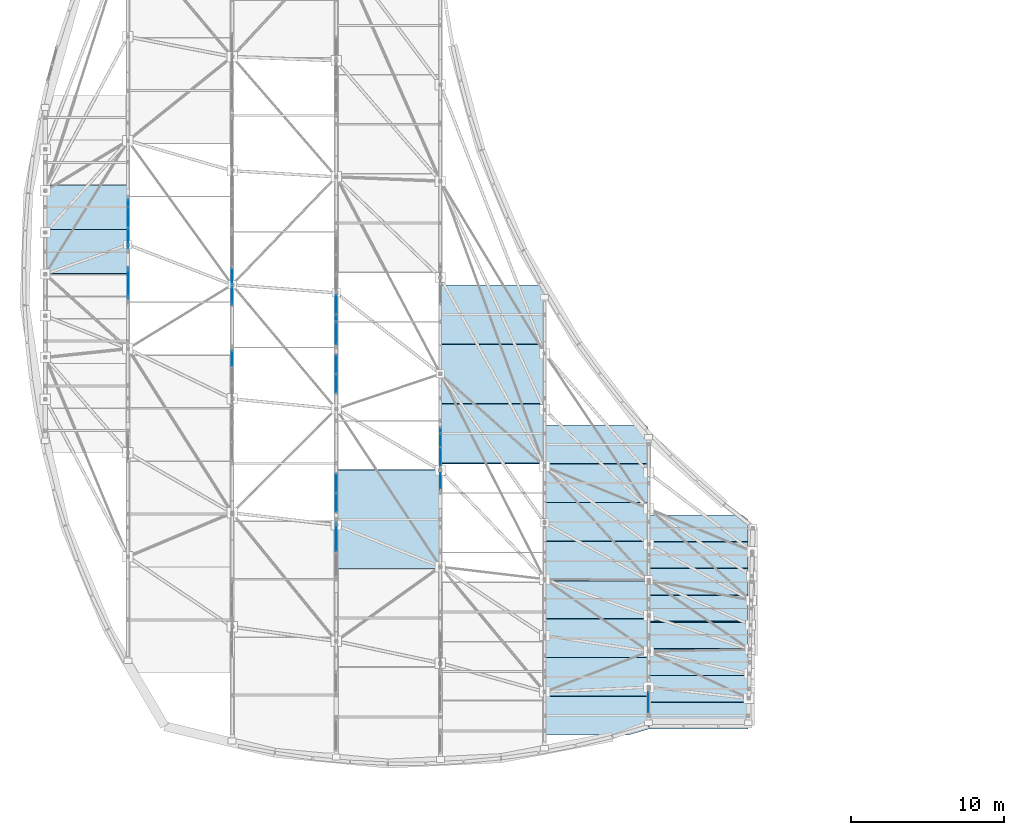
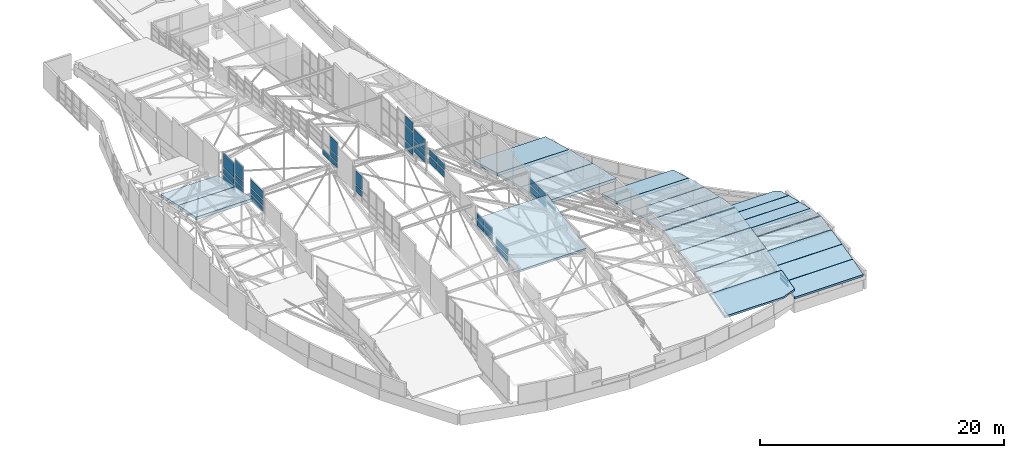
# One storey, part 156 of 188: 38 plates, 22 slabs, 13 elements without a shape of their own.
"""IFC4 building model written with IfcOpenShell, lengths in metres."""

from ifc_helpers import new_model, si_unit, direction, frame, origin, origin_2d, place, context, subcontext, project, spatial, polyline, rectangle, outline, extrude, material, layer, layer_set, type_object, element, aggregate, save


model = new_model("IFC4")

# Units and contexts
model_context = context("Model", 3, precision=1e-05, world=origin(), true_north=direction((0.0, 1.0)))
body_context = subcontext(model_context, "Body", "Model", "MODEL_VIEW")
ifc_project = project(units=[si_unit("LENGTHUNIT", "METRE"), si_unit("AREAUNIT", "SQUARE_METRE"), si_unit("VOLUMEUNIT", "CUBIC_METRE"), si_unit("PLANEANGLEUNIT", "RADIAN"), si_unit("MASSUNIT", "GRAM", prefix="KILO")], contexts=[model_context])

# Site, building, storey
site_placement = place(None, origin())
site = spatial("IfcSite", under=ifc_project, at=site_placement, CompositionType="ELEMENT")
building_placement = place(site_placement, origin())
building = spatial("IfcBuilding", under=site, at=building_placement, Name="Kisaragi Civic Commons", CompositionType="ELEMENT")
storey_placement = place(building_placement, frame((0.0, 0.0, 9.60009765625)))
storey = spatial("IfcBuildingStorey", under=building, at=storey_placement, Name="L02", CompositionType="ELEMENT", Elevation=9.60009765625)

# Curtain wall, plates
ifc_material_1 = material(Name="Thermally broken anodized aluminium and low-E double glazing", Category="aluminium")
ifc_layer_1 = layer(ifc_material_1, 0.14990234375, Name="Thermally broken anodized aluminium and low-E double glazing", Category="aluminium")
ifc_layer_set_1 = layer_set([ifc_layer_1], Name="Thermally broken anodized aluminium and low-E double glazing")
curtain_wall_type = type_object("IfcCurtainWallType", Name="CW-03", PredefinedType="NOTDEFINED", material=ifc_layer_set_1)
curtain_wall_1_placement = place(storey_placement, origin())
curtain_wall_1 = element("IfcCurtainWall", 1, at=curtain_wall_1_placement, inside=storey, type_object=curtain_wall_type, Name="L02 curtain wall CW-03 CW-CL-V1-134", PredefinedType="NOTDEFINED")
ifc_layer_2 = layer(ifc_material_1, 0.0380859375, Name="Thermally broken anodized aluminium and low-E double glazing", Category="aluminium")
ifc_layer_set_2 = layer_set([ifc_layer_2], Name="Thermally broken anodized aluminium and low-E double glazing")
plate_type_1 = type_object("IfcPlateType", Name="CWP-03", PredefinedType="CURTAIN_PANEL", material=ifc_layer_set_2)
plate_1_placement = place(storey_placement, frame((6.800048828125, 32.70361328125, 3.71142578125), z_axis=(0.0, 0.0, 1.0), x_axis=(0.0, 1.0, 0.0)))
plate_1 = element("IfcPlate", 2, at=plate_1_placement, type_object=plate_type_1, Name="CW-03 panel 1.1", PredefinedType="CURTAIN_PANEL", context=body_context, shape_type="SweptSolid", body=[
    extrude(rectangle(XDim=2.02392578125, YDim=0.0380859375, at=origin_2d()), origin(), (0.0, 0.0, 1.0), 0.469970703125),
])
plate_2_placement = place(storey_placement, frame((6.800048828125, 32.70361328125, 4.30126953125), z_axis=(0.0, 0.0, 1.0), x_axis=(0.0, 1.0, 0.0)))
plate_2 = element("IfcPlate", 3, at=plate_2_placement, type_object=plate_type_1, Name="CW-03 panel 1.2", PredefinedType="CURTAIN_PANEL", context=body_context, shape_type="SweptSolid", body=[
    extrude(rectangle(XDim=2.02392578125, YDim=0.0380859375, at=origin_2d()), origin(), (0.0, 0.0, 1.0), 0.530029296875),
])
plate_3_placement = place(storey_placement, frame((6.800048828125, 32.70361328125, 4.951416015625), z_axis=(0.0, 0.0, 1.0), x_axis=(0.0, 1.0, 0.0)))
plate_3 = element("IfcPlate", 4, at=plate_3_placement, type_object=plate_type_1, Name="CW-03 panel 1.3", PredefinedType="CURTAIN_PANEL", context=body_context, shape_type="SweptSolid", body=[
    extrude(rectangle(XDim=2.02392578125, YDim=0.0380859375, at=origin_2d()), origin(), (0.0, 0.0, 1.0), 0.77294921875),
])
aggregate(curtain_wall_1, [plate_1, plate_2, plate_3])

curtain_wall_2_placement = place(storey_placement, origin())
curtain_wall_2 = element("IfcCurtainWall", 5, at=curtain_wall_2_placement, inside=storey, type_object=curtain_wall_type, Name="L02 curtain wall CW-03 CW-CL-V1-136", PredefinedType="NOTDEFINED")
plate_4_placement = place(storey_placement, frame((6.800048828125, 37.283935546875, 2.99609375), z_axis=(0.0, 0.0, 1.0), x_axis=(0.0, 1.0, 0.0)))
plate_4 = element("IfcPlate", 6, at=plate_4_placement, type_object=plate_type_1, Name="CW-03 panel 1.1", PredefinedType="CURTAIN_PANEL", context=body_context, shape_type="SweptSolid", body=[
    extrude(rectangle(XDim=1.76123046875, YDim=0.0380859375, at=origin_2d()), origin(), (0.0, 0.0, 1.0), 0.469970703125),
])
plate_5_placement = place(storey_placement, frame((6.800048828125, 37.283935546875, 3.5859375), z_axis=(0.0, 0.0, 1.0), x_axis=(0.0, 1.0, 0.0)))
plate_5 = element("IfcPlate", 7, at=plate_5_placement, type_object=plate_type_1, Name="CW-03 panel 1.2", PredefinedType="CURTAIN_PANEL", context=body_context, shape_type="SweptSolid", body=[
    extrude(rectangle(XDim=1.76123046875, YDim=0.0380859375, at=origin_2d()), origin(), (0.0, 0.0, 1.0), 0.530029296875),
])
plate_6_placement = place(storey_placement, frame((6.800048828125, 37.283935546875, 4.236328125), z_axis=(0.0, 0.0, 1.0), x_axis=(0.0, 1.0, 0.0)))
plate_6 = element("IfcPlate", 8, at=plate_6_placement, type_object=plate_type_1, Name="CW-03 panel 1.3", PredefinedType="CURTAIN_PANEL", context=body_context, shape_type="SweptSolid", body=[
    extrude(rectangle(XDim=1.76123046875, YDim=0.0380859375, at=origin_2d()), origin(), (0.0, 0.0, 1.0), 1.437255859375),
])
aggregate(curtain_wall_2, [plate_4, plate_5, plate_6])

curtain_wall_3_placement = place(storey_placement, origin())
curtain_wall_3 = element("IfcCurtainWall", 9, at=curtain_wall_3_placement, inside=storey, type_object=curtain_wall_type, Name="L02 curtain wall CW-03 CW-CL-V1-142", PredefinedType="NOTDEFINED")
plate_7_placement = place(storey_placement, frame((13.60009765625, 31.893310546875, 5.9033203125), z_axis=(0.0, 0.0, 1.0), x_axis=(0.0, 1.0, 0.0)))
plate_7 = element("IfcPlate", 10, at=plate_7_placement, type_object=plate_type_1, Name="CW-03 panel 1.1", PredefinedType="CURTAIN_PANEL", context=body_context, shape_type="SweptSolid", body=[
    extrude(rectangle(XDim=1.170166015625, YDim=0.0380859375, at=origin_2d()), origin(), (0.0, 0.0, 1.0), 0.469970703125),
])
plate_8_placement = place(storey_placement, frame((13.60009765625, 31.893310546875, 6.4931640625), z_axis=(0.0, 0.0, 1.0), x_axis=(0.0, 1.0, 0.0)))
plate_8 = element("IfcPlate", 11, at=plate_8_placement, type_object=plate_type_1, Name="CW-03 panel 1.2", PredefinedType="CURTAIN_PANEL", context=body_context, shape_type="SweptSolid", body=[
    extrude(rectangle(XDim=1.170166015625, YDim=0.0380859375, at=origin_2d()), origin(), (0.0, 0.0, 1.0), 0.530029296875),
])
plate_9_placement = place(storey_placement, frame((13.60009765625, 31.893310546875, 7.14306640625), z_axis=(0.0, 0.0, 1.0), x_axis=(0.0, 1.0, 0.0)))
plate_9 = element("IfcPlate", 12, at=plate_9_placement, type_object=plate_type_1, Name="CW-03 panel 1.3", PredefinedType="CURTAIN_PANEL", context=body_context, shape_type="SweptSolid", body=[
    extrude(rectangle(XDim=1.170166015625, YDim=0.0380859375, at=origin_2d()), origin(), (0.0, 0.0, 1.0), 1.294189453125),
])
plate_10_placement = place(storey_placement, frame((13.60009765625, 33.12353515625, 5.9033203125), z_axis=(0.0, 0.0, 1.0), x_axis=(0.0, 1.0, 0.0)))
plate_10 = element("IfcPlate", 13, at=plate_10_placement, type_object=plate_type_1, Name="CW-03 panel 2.1", PredefinedType="CURTAIN_PANEL", context=body_context, shape_type="SweptSolid", body=[
    extrude(rectangle(XDim=1.170166015625, YDim=0.0380859375, at=origin_2d()), origin(), (0.0, 0.0, 1.0), 0.469970703125),
])
aggregate(curtain_wall_3, [plate_7, plate_8, plate_9, plate_10])

curtain_wall_4_placement = place(storey_placement, origin())
curtain_wall_4 = element("IfcCurtainWall", 14, at=curtain_wall_4_placement, inside=storey, type_object=curtain_wall_type, Name="L02 curtain wall CW-03 CW-CL-V1-156", PredefinedType="NOTDEFINED")
plate_11_placement = place(storey_placement, frame((20.39990234375, 16.14794921875, 3.96826171875), z_axis=(0.0, 0.0, 1.0), x_axis=(0.0, 1.0, 0.0)))
plate_11 = element("IfcPlate", 15, at=plate_11_placement, type_object=plate_type_1, Name="CW-03 panel 1.1", PredefinedType="CURTAIN_PANEL", context=body_context, shape_type="SweptSolid", body=[
    extrude(rectangle(XDim=1.868408203125, YDim=0.0380859375, at=origin_2d()), origin(), (0.0, 0.0, 1.0), 0.52734375),
])
plate_12_placement = place(storey_placement, frame((20.39990234375, 16.14794921875, 4.615478515625), z_axis=(0.0, 0.0, 1.0), x_axis=(0.0, 1.0, 0.0)))
plate_12 = element("IfcPlate", 16, at=plate_12_placement, type_object=plate_type_1, Name="CW-03 panel 1.2", PredefinedType="CURTAIN_PANEL", context=body_context, shape_type="SweptSolid", body=[
    extrude(rectangle(XDim=1.868408203125, YDim=0.0380859375, at=origin_2d()), origin(), (0.0, 0.0, 1.0), 0.52734375),
])
aggregate(curtain_wall_4, [plate_11, plate_12])

curtain_wall_5_placement = place(storey_placement, origin())
curtain_wall_5 = element("IfcCurtainWall", 17, at=curtain_wall_5_placement, inside=storey, type_object=curtain_wall_type, Name="L02 curtain wall CW-03 CW-CL-V1-158", PredefinedType="NOTDEFINED")
plate_13_placement = place(storey_placement, frame((20.39990234375, 26.172119140625, 6.093994140625), z_axis=(0.0, 0.0, 1.0), x_axis=(0.0, 1.0, 0.0)))
plate_13 = element("IfcPlate", 18, at=plate_13_placement, type_object=plate_type_1, Name="CW-03 panel 1.1", PredefinedType="CURTAIN_PANEL", context=body_context, shape_type="SweptSolid", body=[
    extrude(rectangle(XDim=1.193359375, YDim=0.0380859375, at=origin_2d()), origin(), (0.0, 0.0, 1.0), 0.59521484375),
])
plate_14_placement = place(storey_placement, frame((20.39990234375, 26.172119140625, 6.809326171875), z_axis=(0.0, 0.0, 1.0), x_axis=(0.0, 1.0, 0.0)))
plate_14 = element("IfcPlate", 19, at=plate_14_placement, type_object=plate_type_1, Name="CW-03 panel 1.2", PredefinedType="CURTAIN_PANEL", context=body_context, shape_type="SweptSolid", body=[
    extrude(rectangle(XDim=1.193359375, YDim=0.0380859375, at=origin_2d()), origin(), (0.0, 0.0, 1.0), 0.59521484375),
])
plate_15_placement = place(storey_placement, frame((20.39990234375, 27.42529296875, 6.093994140625), z_axis=(0.0, 0.0, 1.0), x_axis=(0.0, 1.0, 0.0)))
plate_15 = element("IfcPlate", 20, at=plate_15_placement, type_object=plate_type_1, Name="CW-03 panel 2.1", PredefinedType="CURTAIN_PANEL", context=body_context, shape_type="SweptSolid", body=[
    extrude(rectangle(XDim=1.193359375, YDim=0.0380859375, at=origin_2d()), origin(), (0.0, 0.0, 1.0), 0.59521484375),
])
plate_16_placement = place(storey_placement, frame((20.39990234375, 27.42529296875, 6.809326171875), z_axis=(0.0, 0.0, 1.0), x_axis=(0.0, 1.0, 0.0)))
plate_16 = element("IfcPlate", 21, at=plate_16_placement, type_object=plate_type_1, Name="CW-03 panel 2.2", PredefinedType="CURTAIN_PANEL", context=body_context, shape_type="SweptSolid", body=[
    extrude(rectangle(XDim=1.193359375, YDim=0.0380859375, at=origin_2d()), origin(), (0.0, 0.0, 1.0), 0.59521484375),
])
aggregate(curtain_wall_5, [plate_13, plate_14, plate_15, plate_16])

curtain_wall_6_placement = place(storey_placement, origin())
curtain_wall_6 = element("IfcCurtainWall", 22, at=curtain_wall_6_placement, inside=storey, type_object=curtain_wall_type, Name="L02 curtain wall CW-03 CW-CL-V1-160", PredefinedType="NOTDEFINED")
plate_17_placement = place(storey_placement, frame((20.39990234375, 31.35302734375, 5.15673828125), z_axis=(0.0, 0.0, 1.0), x_axis=(0.0, 1.0, 0.0)))
plate_17 = element("IfcPlate", 23, at=plate_17_placement, type_object=plate_type_1, Name="CW-03 panel 1.1", PredefinedType="CURTAIN_PANEL", context=body_context, shape_type="SweptSolid", body=[
    extrude(rectangle(XDim=1.193115234375, YDim=0.0380859375, at=origin_2d()), origin(), (0.0, 0.0, 1.0), 0.669921875),
])
plate_18_placement = place(storey_placement, frame((20.39990234375, 31.35302734375, 5.946533203125), z_axis=(0.0, 0.0, 1.0), x_axis=(0.0, 1.0, 0.0)))
plate_18 = element("IfcPlate", 24, at=plate_18_placement, type_object=plate_type_1, Name="CW-03 panel 1.2", PredefinedType="CURTAIN_PANEL", context=body_context, shape_type="SweptSolid", body=[
    extrude(rectangle(XDim=1.193115234375, YDim=0.0380859375, at=origin_2d()), origin(), (0.0, 0.0, 1.0), 1.47998046875),
])
plate_19_placement = place(storey_placement, frame((20.39990234375, 31.35302734375, 7.546630859375), z_axis=(0.0, 0.0, 1.0), x_axis=(0.0, 1.0, 0.0)))
plate_19 = element("IfcPlate", 25, at=plate_19_placement, type_object=plate_type_1, Name="CW-03 panel 1.3", PredefinedType="CURTAIN_PANEL", context=body_context, shape_type="SweptSolid", body=[
    extrude(rectangle(XDim=1.193115234375, YDim=0.0380859375, at=origin_2d()), origin(), (0.0, 0.0, 1.0), 0.86474609375),
])
aggregate(curtain_wall_6, [plate_17, plate_18, plate_19])

curtain_wall_7_placement = place(storey_placement, origin())
curtain_wall_7 = element("IfcCurtainWall", 26, at=curtain_wall_7_placement, inside=storey, type_object=curtain_wall_type, Name="L02 curtain wall CW-03 CW-CL-V1-168", PredefinedType="NOTDEFINED")
plate_20_placement = place(storey_placement, frame((27.199951171875, 21.370361328125, 3.6357421875), z_axis=(0.0, 0.0, 1.0), x_axis=(0.0, 1.0, 0.0)))
plate_20 = element("IfcPlate", 27, at=plate_20_placement, type_object=plate_type_1, Name="CW-03 panel 1.1", PredefinedType="CURTAIN_PANEL", context=body_context, shape_type="SweptSolid", body=[
    extrude(rectangle(XDim=1.230224609375, YDim=0.0380859375, at=origin_2d()), origin(), (0.0, 0.0, 1.0), 0.614501953125),
])
plate_21_placement = place(storey_placement, frame((27.199951171875, 21.370361328125, 4.3701171875), z_axis=(0.0, 0.0, 1.0), x_axis=(0.0, 1.0, 0.0)))
plate_21 = element("IfcPlate", 28, at=plate_21_placement, type_object=plate_type_1, Name="CW-03 panel 1.2", PredefinedType="CURTAIN_PANEL", context=body_context, shape_type="SweptSolid", body=[
    extrude(rectangle(XDim=1.230224609375, YDim=0.0380859375, at=origin_2d()), origin(), (0.0, 0.0, 1.0), 0.614501953125),
])
plate_22_placement = place(storey_placement, frame((27.199951171875, 22.660400390625, 3.6357421875), z_axis=(0.0, 0.0, 1.0), x_axis=(0.0, 1.0, 0.0)))
plate_22 = element("IfcPlate", 29, at=plate_22_placement, type_object=plate_type_1, Name="CW-03 panel 2.1", PredefinedType="CURTAIN_PANEL", context=body_context, shape_type="SweptSolid", body=[
    extrude(rectangle(XDim=1.230224609375, YDim=0.0380859375, at=origin_2d()), origin(), (0.0, 0.0, 1.0), 0.614501953125),
])
plate_23_placement = place(storey_placement, frame((27.199951171875, 22.660400390625, 4.3701171875), z_axis=(0.0, 0.0, 1.0), x_axis=(0.0, 1.0, 0.0)))
plate_23 = element("IfcPlate", 30, at=plate_23_placement, type_object=plate_type_1, Name="CW-03 panel 2.2", PredefinedType="CURTAIN_PANEL", context=body_context, shape_type="SweptSolid", body=[
    extrude(rectangle(XDim=1.230224609375, YDim=0.0380859375, at=origin_2d()), origin(), (0.0, 0.0, 1.0), 0.614501953125),
])
aggregate(curtain_wall_7, [plate_20, plate_21, plate_22, plate_23])

curtain_wall_8_placement = place(storey_placement, origin())
curtain_wall_8 = element("IfcCurtainWall", 31, at=curtain_wall_8_placement, inside=storey, type_object=curtain_wall_type, Name="L02 curtain wall CW-03 CW-CL-V1-170", PredefinedType="NOTDEFINED")
plate_24_placement = place(storey_placement, frame((40.800048828125, 5.36083984375, 0.63818359375), z_axis=(0.0, 0.0, 1.0), x_axis=(0.0, 1.0, 0.0)))
plate_24 = element("IfcPlate", 32, at=plate_24_placement, type_object=plate_type_1, Name="CW-03 panel 1.1", PredefinedType="CURTAIN_PANEL", context=body_context, shape_type="SweptSolid", body=[
    extrude(rectangle(XDim=1.310791015625, YDim=0.0380859375, at=origin_2d()), origin(), (0.0, 0.0, 1.0), 0.270751953125),
])
plate_25_placement = place(storey_placement, frame((40.800048828125, 5.36083984375, 1.02880859375), z_axis=(0.0, 0.0, 1.0), x_axis=(0.0, 1.0, 0.0)))
plate_25 = element("IfcPlate", 33, at=plate_25_placement, type_object=plate_type_1, Name="CW-03 panel 1.2", PredefinedType="CURTAIN_PANEL", context=body_context, shape_type="SweptSolid", body=[
    extrude(rectangle(XDim=1.310791015625, YDim=0.0380859375, at=origin_2d()), origin(), (0.0, 0.0, 1.0), 0.270751953125),
])
aggregate(curtain_wall_8, [plate_24, plate_25])

curtain_wall_9_placement = place(storey_placement, origin())
curtain_wall_9 = element("IfcCurtainWall", 34, at=curtain_wall_9_placement, inside=storey, type_object=curtain_wall_type, Name="L02 curtain wall CW-03 CW-CL-V1-135", PredefinedType="NOTDEFINED")
ifc_layer_3 = layer(ifc_material_1, 0.041015625, Name="Thermally broken anodized aluminium and low-E double glazing", Category="aluminium")
ifc_layer_set_3 = layer_set([ifc_layer_3], Name="Thermally broken anodized aluminium and low-E double glazing")
plate_type_2 = type_object("IfcPlateType", Name="CWP-11", PredefinedType="CURTAIN_PANEL", material=ifc_layer_set_3)
plate_26_placement = place(storey_placement, frame((6.800048828125, 35.627197265625, 3.52783203125), z_axis=(0.0, 0.0, 1.0), x_axis=(0.0, 1.0, 0.0)))
plate_26 = element("IfcPlate", 35, at=plate_26_placement, type_object=plate_type_2, Name="CW-03 panel 1.1", PredefinedType="CURTAIN_PANEL", context=body_context, shape_type="SweptSolid", body=[
    extrude(rectangle(XDim=1.264404296875, YDim=0.041015625, at=origin_2d()), origin(), (0.0, 0.0, 1.0), 0.469970703125),
])
plate_27_placement = place(storey_placement, frame((6.800048828125, 35.627197265625, 4.1181640625), z_axis=(0.0, 0.0, 1.0), x_axis=(0.0, 1.0, 0.0)))
plate_27 = element("IfcPlate", 36, at=plate_27_placement, type_object=plate_type_2, Name="CW-03 panel 1.2", PredefinedType="CURTAIN_PANEL", context=body_context, shape_type="SweptSolid", body=[
    extrude(rectangle(XDim=1.264404296875, YDim=0.041015625, at=origin_2d()), origin(), (0.0, 0.0, 1.0), 0.530029296875),
])
plate_28_placement = place(storey_placement, frame((6.800048828125, 35.627197265625, 4.76806640625), z_axis=(0.0, 0.0, 1.0), x_axis=(0.0, 1.0, 0.0)))
plate_28 = element("IfcPlate", 37, at=plate_28_placement, type_object=plate_type_2, Name="CW-03 panel 1.3", PredefinedType="CURTAIN_PANEL", context=body_context, shape_type="SweptSolid", body=[
    extrude(rectangle(XDim=1.264404296875, YDim=0.041015625, at=origin_2d()), origin(), (0.0, 0.0, 1.0), 1.39990234375),
])
aggregate(curtain_wall_9, [plate_26, plate_27, plate_28])

curtain_wall_10_placement = place(storey_placement, origin())
curtain_wall_10 = element("IfcCurtainWall", 38, at=curtain_wall_10_placement, inside=storey, type_object=curtain_wall_type, Name="L02 curtain wall CW-03 CW-CL-V1-141", PredefinedType="NOTDEFINED")
plate_29_placement = place(storey_placement, frame((13.60009765625, 27.7998046875, 5.48779296875), z_axis=(0.0, 0.0, 1.0), x_axis=(0.0, 1.0, 0.0)))
plate_29 = element("IfcPlate", 39, at=plate_29_placement, type_object=plate_type_2, Name="CW-03 panel 2.2", PredefinedType="CURTAIN_PANEL", context=body_context, shape_type="SweptSolid", body=[
    extrude(rectangle(XDim=1.013671875, YDim=0.041015625, at=origin_2d()), origin(), (0.0, 0.0, 1.0), 0.530029296875),
])
plate_30_placement = place(storey_placement, frame((13.60009765625, 27.7998046875, 6.1376953125), z_axis=(0.0, 0.0, 1.0), x_axis=(0.0, 1.0, 0.0)))
plate_30 = element("IfcPlate", 40, at=plate_30_placement, type_object=plate_type_2, Name="CW-03 panel 2.3", PredefinedType="CURTAIN_PANEL", context=body_context, shape_type="SweptSolid", body=[
    extrude(rectangle(XDim=1.013671875, YDim=0.041015625, at=origin_2d()), origin(), (0.0, 0.0, 1.0), 1.387451171875),
])
aggregate(curtain_wall_10, [plate_29, plate_30])

curtain_wall_11_placement = place(storey_placement, origin())
curtain_wall_11 = element("IfcCurtainWall", 41, at=curtain_wall_11_placement, inside=storey, type_object=curtain_wall_type, Name="L02 curtain wall CW-03 CW-CL-V1-157", PredefinedType="NOTDEFINED")
plate_31_placement = place(storey_placement, frame((20.39990234375, 18.40087890625, 4.54248046875), z_axis=(0.0, 0.0, 1.0), x_axis=(0.0, 1.0, 0.0)))
plate_31 = element("IfcPlate", 42, at=plate_31_placement, type_object=plate_type_2, Name="CW-03 panel 1.1", PredefinedType="CURTAIN_PANEL", context=body_context, shape_type="SweptSolid", body=[
    extrude(rectangle(XDim=1.193115234375, YDim=0.041015625, at=origin_2d()), origin(), (0.0, 0.0, 1.0), 0.53759765625),
])
plate_32_placement = place(storey_placement, frame((20.39990234375, 18.40087890625, 5.2001953125), z_axis=(0.0, 0.0, 1.0), x_axis=(0.0, 1.0, 0.0)))
plate_32 = element("IfcPlate", 43, at=plate_32_placement, type_object=plate_type_2, Name="CW-03 panel 1.2", PredefinedType="CURTAIN_PANEL", context=body_context, shape_type="SweptSolid", body=[
    extrude(rectangle(XDim=1.193115234375, YDim=0.041015625, at=origin_2d()), origin(), (0.0, 0.0, 1.0), 0.53759765625),
])
plate_33_placement = place(storey_placement, frame((20.39990234375, 19.654052734375, 4.54248046875), z_axis=(0.0, 0.0, 1.0), x_axis=(0.0, 1.0, 0.0)))
plate_33 = element("IfcPlate", 44, at=plate_33_placement, type_object=plate_type_2, Name="CW-03 panel 2.1", PredefinedType="CURTAIN_PANEL", context=body_context, shape_type="SweptSolid", body=[
    extrude(rectangle(XDim=1.193115234375, YDim=0.041015625, at=origin_2d()), origin(), (0.0, 0.0, 1.0), 0.53759765625),
])
plate_34_placement = place(storey_placement, frame((20.39990234375, 19.654052734375, 5.2001953125), z_axis=(0.0, 0.0, 1.0), x_axis=(0.0, 1.0, 0.0)))
plate_34 = element("IfcPlate", 45, at=plate_34_placement, type_object=plate_type_2, Name="CW-03 panel 2.2", PredefinedType="CURTAIN_PANEL", context=body_context, shape_type="SweptSolid", body=[
    extrude(rectangle(XDim=1.193115234375, YDim=0.041015625, at=origin_2d()), origin(), (0.0, 0.0, 1.0), 0.53759765625),
])
aggregate(curtain_wall_11, [plate_31, plate_32, plate_33, plate_34])

curtain_wall_12_placement = place(storey_placement, origin())
curtain_wall_12 = element("IfcCurtainWall", 46, at=curtain_wall_12_placement, inside=storey, type_object=curtain_wall_type, Name="L02 curtain wall CW-03 CW-CL-V1-159", PredefinedType="NOTDEFINED")
plate_35_placement = place(storey_placement, frame((20.39990234375, 29.679443359375, 5.66015625), z_axis=(0.0, 0.0, 1.0), x_axis=(0.0, 1.0, 0.0)))
plate_35 = element("IfcPlate", 47, at=plate_35_placement, type_object=plate_type_2, Name="CW-03 panel 1.1", PredefinedType="CURTAIN_PANEL", context=body_context, shape_type="SweptSolid", body=[
    extrude(rectangle(XDim=1.865966796875, YDim=0.041015625, at=origin_2d()), origin(), (0.0, 0.0, 1.0), 0.469970703125),
])
plate_36_placement = place(storey_placement, frame((20.39990234375, 29.679443359375, 6.25), z_axis=(0.0, 0.0, 1.0), x_axis=(0.0, 1.0, 0.0)))
plate_36 = element("IfcPlate", 48, at=plate_36_placement, type_object=plate_type_2, Name="CW-03 panel 1.2", PredefinedType="CURTAIN_PANEL", context=body_context, shape_type="SweptSolid", body=[
    extrude(rectangle(XDim=1.865966796875, YDim=0.041015625, at=origin_2d()), origin(), (0.0, 0.0, 1.0), 0.530029296875),
])
plate_37_placement = place(storey_placement, frame((20.39990234375, 29.679443359375, 6.900146484375), z_axis=(0.0, 0.0, 1.0), x_axis=(0.0, 1.0, 0.0)))
plate_37 = element("IfcPlate", 49, at=plate_37_placement, type_object=plate_type_2, Name="CW-03 panel 1.3", PredefinedType="CURTAIN_PANEL", context=body_context, shape_type="SweptSolid", body=[
    extrude(rectangle(XDim=1.865966796875, YDim=0.041015625, at=origin_2d()), origin(), (0.0, 0.0, 1.0), 1.0078125),
])
aggregate(curtain_wall_12, [plate_35, plate_36, plate_37])

# Curtain wall, plate
curtain_wall_13_placement = place(storey_placement, origin())
curtain_wall_13 = element("IfcCurtainWall", 50, at=curtain_wall_13_placement, inside=storey, type_object=curtain_wall_type, Name="L02 curtain wall CW-03 CW-CL-V1-167", PredefinedType="NOTDEFINED")
plate_38_placement = place(storey_placement, frame((27.199951171875, 19.928466796875, 4.18212890625), z_axis=(0.0, 0.0, 1.0), x_axis=(0.0, 1.0, 0.0)))
plate_38 = element("IfcPlate", 51, at=plate_38_placement, type_object=plate_type_2, Name="CW-03 panel 1.1", PredefinedType="CURTAIN_PANEL", context=body_context, shape_type="SweptSolid", body=[
    extrude(rectangle(XDim=1.365478515625, YDim=0.041015625, at=origin_2d()), origin(), (0.0, 0.0, 1.0), 0.252197265625),
])
aggregate(curtain_wall_13, [plate_38])

# Slabs
ifc_material_2 = material(Name="Concrete Fc30", Category="concrete")
ifc_layer_4 = layer(ifc_material_2, 0.2548828125, Name="Concrete Fc30", Category="concrete")
ifc_layer_set_4 = layer_set([ifc_layer_4], Name="Concrete Fc30")
slab_type = type_object("IfcSlabType", Name="SL-WV1", PredefinedType="ROOF", material=ifc_layer_set_4)
slab_1_placement = place(storey_placement, frame((6.794921875, 36.224609375, 3.4765625), z_axis=(0.0, 0.190741686873, 0.981640264501), x_axis=(-1.0, 0.0, 0.0)))
element("IfcSlab", 52, at=slab_1_placement, inside=storey, type_object=slab_type, Name="V1 continuous wave vault facet 1.5", PredefinedType="ROOF", context=body_context, shape_type="SweptSolid", body=[
    extrude(outline(polyline([(0.0, 0.0), (5.389892578125, 0.0), (5.389892578125, 2.910615871923811), (0.0, 2.910615871923811), (0.0, 0.0)])), origin(), (0.0, 0.0, -1.0), 0.2548828125),
])
slab_2_placement = place(storey_placement, frame((6.794921875, 39.14404296875, 2.82958984375), z_axis=(0.0, 0.21645169538, 0.97629332865), x_axis=(-1.0, 0.0, 0.0)))
element("IfcSlab", 53, at=slab_2_placement, inside=storey, type_object=slab_type, Name="V1 continuous wave vault facet 1.6", PredefinedType="ROOF", context=body_context, shape_type="SweptSolid", body=[
    extrude(outline(polyline([(0.0, 0.0), (5.389892578125, 0.0), (5.389892578125, 2.9698185754362187), (0.0, 2.9698185754362187), (0.0, 0.0)])), origin(), (0.0, 0.0, -1.0), 0.2548828125),
])
slab_3_placement = place(storey_placement, frame((27.195068359375, 20.517333984375, 5.0478515625), z_axis=(0.0, -0.216431992525, 0.976297696715), x_axis=(-1.0, 0.0, 0.0)))
element("IfcSlab", 54, at=slab_3_placement, inside=storey, type_object=slab_type, Name="V1 continuous wave vault facet 4.3", PredefinedType="ROOF", context=body_context, shape_type="SweptSolid", body=[
    extrude(outline(polyline([(0.0, 0.0), (6.7900390625, 0.0), (6.7900390625, 6.586535995639295), (0.0, 6.586535995639295), (0.0, 0.0)])), origin(), (0.0, 0.0, -1.0), 0.2548828125),
])
slab_4_placement = place(storey_placement, frame((33.9951171875, 24.838134765625, 3.184814453125), z_axis=(0.0, 0.216407580296, 0.976303108256), x_axis=(-1.0, 0.0, 0.0)))
element("IfcSlab", 55, at=slab_4_placement, inside=storey, type_object=slab_type, Name="V1 continuous wave vault facet 5.6", PredefinedType="ROOF", context=body_context, shape_type="SweptSolid", body=[
    extrude(outline(polyline([(0.0, 0.0), (6.7900390625, 0.0), (6.7900390625, 3.9553005956552165), (0.0, 3.9553005956552165), (0.0, 0.0)])), origin(), (0.0, 0.0, -1.0), 0.2548828125),
])
slab_5_placement = place(storey_placement, frame((33.9951171875, 28.7197265625, 2.21728515625), z_axis=(0.0, 0.241943783281, 0.970290268802), x_axis=(-1.0, 0.0, 0.0)))
element("IfcSlab", 56, at=slab_5_placement, inside=storey, type_object=slab_type, Name="V1 continuous wave vault facet 5.7", PredefinedType="ROOF", context=body_context, shape_type="SweptSolid", body=[
    extrude(outline(polyline([(0.0, 0.0), (6.7900390625, 0.0), (6.7900390625, 3.9798113923095766), (0.0, 3.9798113923095766), (0.0, 0.0)])), origin(), (0.0, 0.0, -1.0), 0.2548828125),
])
slab_6_placement = place(storey_placement, frame((33.9951171875, 32.603515625, 1.140625), z_axis=(0.0, 0.267185326537, 0.963645163576), x_axis=(-1.0, 0.0, 0.0)))
element("IfcSlab", 57, at=slab_6_placement, inside=storey, type_object=slab_type, Name="V1 continuous wave vault facet 5.8", PredefinedType="ROOF", context=body_context, shape_type="SweptSolid", body=[
    extrude(outline(polyline([(0.0, 0.0), (6.7900390625, 0.0), (6.7900390625, 4.009535539940751), (0.0, 4.009535539940751), (0.0, 0.0)])), origin(), (0.0, 0.0, -1.0), 0.2548828125),
])
slab_7_placement = place(storey_placement, frame((40.794921875, 5.740966796875, 1.708251953125), z_axis=(8.04548e-07, -0.267195163698, 0.963642436018), x_axis=(-1.0, -2.14971e-07, 7.75297e-07)))
element("IfcSlab", 58, at=slab_7_placement, inside=storey, type_object=slab_type, Name="V1 continuous wave vault facet 6.1", PredefinedType="ROOF", context=body_context, shape_type="SweptSolid", body=[
    extrude(outline(polyline([(0.0, 0.0), (6.790039062497803, 0.0), (6.790039062498649, 2.607750632601663), (1.3071289062504232, 2.607750632601663), (-7.944247951548823e-12, 2.2102445587925197), (0.0, 0.0)])), origin(), (0.0, 0.0, -1.0), 0.2548828125),
])
slab_8_placement = place(storey_placement, frame((40.794921875, 8.27197265625, 2.339599609375), z_axis=(0.0, -0.241891829048, 0.970303222215), x_axis=(-1.0, 0.0, 0.0)))
element("IfcSlab", 59, at=slab_8_placement, inside=storey, type_object=slab_type, Name="V1 continuous wave vault facet 6.2", PredefinedType="ROOF", context=body_context, shape_type="SweptSolid", body=[
    extrude(outline(polyline([(0.0, 0.0), (6.7900390625, 0.0), (6.7900390625, 2.5878367407605114), (0.0, 2.5878367407605114), (0.0, 0.0)])), origin(), (0.0, 0.0, -1.0), 0.2548828125),
])
slab_9_placement = place(storey_placement, frame((40.794921875, 10.802978515625, 2.901123046875), z_axis=(0.0, -0.216427887539, 0.976298606726), x_axis=(-1.0, 0.0, 0.0)))
element("IfcSlab", 60, at=slab_9_placement, inside=storey, type_object=slab_type, Name="V1 continuous wave vault facet 6.3", PredefinedType="ROOF", context=body_context, shape_type="SweptSolid", body=[
    extrude(outline(polyline([(0.0, 0.0), (6.7900390625, 0.0), (6.7900390625, 2.571945008243967), (0.0, 2.571945008243967), (0.0, 0.0)])), origin(), (0.0, 0.0, -1.0), 0.2548828125),
])
for number, where, z_axis, x_axis, name in (
    (61, (40.794921875, 13.2919921875, 3.38525390625), (0.0, -0.190830688434, 0.981622966496), (-1.0, 0.0, 0.0), "V1 continuous wave vault facet 6.4"),
    (62, (40.794921875, 15.864990234375, 2.9052734375), (0.0, 0.190830688434, 0.981622966496), (-1.0, 0.0, 0.0), "V1 continuous wave vault facet 6.5"),
):
    element("IfcSlab", number, at=place(storey_placement, frame(where, z_axis=z_axis, x_axis=x_axis)), inside=storey, type_object=slab_type, Name=name, PredefinedType="ROOF", context=body_context, shape_type="SweptSolid", body=[
        extrude(outline(polyline([(0.0, 0.0), (6.7900390625, 0.0), (6.7900390625, 2.515216355867235), (0.0, 2.515216355867235), (0.0, 0.0)])), origin(), (0.0, 0.0, -1.0), 0.2548828125),
    ])
slab_10_placement = place(storey_placement, frame((40.794921875, 18.39599609375, 2.344482421875), z_axis=(0.0, 0.216427887539, 0.976298606726), x_axis=(-1.0, 0.0, 0.0)))
element("IfcSlab", 63, at=slab_10_placement, inside=storey, type_object=slab_type, Name="V1 continuous wave vault facet 6.6", PredefinedType="ROOF", context=body_context, shape_type="SweptSolid", body=[
    extrude(outline(polyline([(0.0, 0.0), (6.7900390625, 0.0), (6.7900390625, 2.571945008243967), (0.0, 2.571945008243967), (0.0, 0.0)])), origin(), (0.0, 0.0, -1.0), 0.2548828125),
])
slab_11_placement = place(storey_placement, frame((40.794921875, 20.927001953125, 1.713623046875), z_axis=(0.0, 0.241891829048, 0.970303222215), x_axis=(-1.0, 0.0, 0.0)))
element("IfcSlab", 64, at=slab_11_placement, inside=storey, type_object=slab_type, Name="V1 continuous wave vault facet 6.7", PredefinedType="ROOF", context=body_context, shape_type="SweptSolid", body=[
    extrude(outline(polyline([(0.0, 0.0), (6.7900390625, 0.0), (6.7900390625, 2.5878367407605114), (0.0, 2.5878367407605114), (0.0, 0.0)])), origin(), (0.0, 0.0, -1.0), 0.2548828125),
])
slab_12_placement = place(storey_placement, frame((40.610107421875, 23.4599609375, 1.011474609375), z_axis=(2.091083e-06, 0.267194917892, 0.963642504173), x_axis=(-0.999999999998, 5.58727e-07, 2.015056e-06)))
element("IfcSlab", 65, at=slab_12_placement, inside=storey, type_object=slab_type, Name="V1 continuous wave vault facet 6.8", PredefinedType="ROOF", context=body_context, shape_type="SweptSolid", body=[
    extrude(outline(polyline([(0.0, 0.0), (6.605224609360559, -6.993553585194426e-22), (6.605224609359751, 2.6077506326018467), (-0.1848144531254041, 2.6077506326018467), (-0.137451171933873, 0.1636574580077455), (0.0, 0.0)])), origin(), (0.0, 0.0, -1.0), 0.2548828125),
])
slab_13_placement = place(storey_placement, frame((47.294921875, 5.352294921875, 0.76416015625), z_axis=(0.0, -0.267279231645, 0.963619122024), x_axis=(-1.0, 0.0, 0.0)))
element("IfcSlab", 66, at=slab_13_placement, inside=storey, type_object=slab_type, Name="V1 continuous wave vault facet 7.1", PredefinedType="ROOF", context=body_context, shape_type="SweptSolid", body=[
    extrude(outline(polyline([(0.0, 0.0), (6.489990234375, 0.0), (6.489990234375, 1.7958015884579321), (0.0, 1.7958015884579321), (0.0, 0.0)])), origin(), (0.0, 0.0, -1.0), 0.2548828125),
])
slab_14_placement = place(storey_placement, frame((47.294921875, 7.100341796875, 1.2001953125), z_axis=(0.0, -0.241954986402, 0.970287475213), x_axis=(-1.0, 0.0, 0.0)))
element("IfcSlab", 67, at=slab_14_placement, inside=storey, type_object=slab_type, Name="V1 continuous wave vault facet 7.2", PredefinedType="ROOF", context=body_context, shape_type="SweptSolid", body=[
    extrude(outline(polyline([(0.0, 0.0), (6.489990234375, 0.0), (6.489990234375, 1.780943676893825), (0.0, 1.780943676893825), (0.0, 0.0)])), origin(), (0.0, 0.0, -1.0), 0.2548828125),
])
slab_15_placement = place(storey_placement, frame((47.294921875, 8.8486328125, 1.588134765625), z_axis=(0.0, -0.216521570781, 0.976277834116), x_axis=(-1.0, 0.0, 0.0)))
element("IfcSlab", 68, at=slab_15_placement, inside=storey, type_object=slab_type, Name="V1 continuous wave vault facet 7.3", PredefinedType="ROOF", context=body_context, shape_type="SweptSolid", body=[
    extrude(outline(polyline([(0.0, 0.0), (6.489990234375, 0.0), (6.489990234375, 1.7702660287681697), (0.0, 1.7702660287681697), (0.0, 0.0)])), origin(), (0.0, 0.0, -1.0), 0.2548828125),
])
for number, where, z_axis, x_axis, name in (
    (69, (47.294921875, 10.554931640625, 1.919921875), (0.0, -0.190728907936, 0.981642747479), (-1.0, 0.0, 0.0), "V1 continuous wave vault facet 7.4"),
    (70, (47.294921875, 12.34521484375, 1.59228515625), (0.0, 0.190728907936, 0.981642747479), (-1.0, 0.0, 0.0), "V1 continuous wave vault facet 7.5"),
):
    element("IfcSlab", number, at=place(storey_placement, frame(where, z_axis=z_axis, x_axis=x_axis)), inside=storey, type_object=slab_type, Name=name, PredefinedType="ROOF", context=body_context, shape_type="SweptSolid", body=[
        extrude(outline(polyline([(0.0, 0.0), (6.489990234375, 0.0), (6.489990234375, 1.717813635567756), (0.0, 1.717813635567756), (0.0, 0.0)])), origin(), (0.0, 0.0, -1.0), 0.2548828125),
    ])
slab_16_placement = place(storey_placement, frame((47.294921875, 14.093505859375, 1.204833984375), z_axis=(0.0, 0.216521570781, 0.976277834116), x_axis=(-1.0, 0.0, 0.0)))
element("IfcSlab", 71, at=slab_16_placement, inside=storey, type_object=slab_type, Name="V1 continuous wave vault facet 7.6", PredefinedType="ROOF", context=body_context, shape_type="SweptSolid", body=[
    extrude(outline(polyline([(0.0, 0.0), (6.489990234375, 0.0), (6.489990234375, 1.7702660287681697), (0.0, 1.7702660287681697), (0.0, 0.0)])), origin(), (0.0, 0.0, -1.0), 0.2548828125),
])
slab_17_placement = place(storey_placement, frame((47.294921875, 15.841796875, 0.769287109375), z_axis=(0.0, 0.241922807671, 0.97029549887), x_axis=(-1.0, 0.0, 0.0)))
element("IfcSlab", 72, at=slab_17_placement, inside=storey, type_object=slab_type, Name="V1 continuous wave vault facet 7.7", PredefinedType="ROOF", context=body_context, shape_type="SweptSolid", body=[
    extrude(outline(polyline([(0.0, 0.0), (6.489990234375, 0.0), (6.489990234375, 1.7811805644639687), (0.0, 1.7811805644639687), (0.0, 0.0)])), origin(), (0.0, 0.0, -1.0), 0.2548828125),
])
slab_18_placement = place(storey_placement, frame((46.893310546875, 17.592041015625, 0.2841796875), z_axis=(-2.708446e-06, 0.267313667161, 0.963609569972), x_axis=(-0.999999999996, -7.24005e-07, -2.609885e-06)))
element("IfcSlab", 73, at=slab_18_placement, inside=storey, type_object=slab_type, Name="V1 continuous wave vault facet 7.8", PredefinedType="ROOF", context=body_context, shape_type="SweptSolid", body=[
    extrude(outline(polyline([(0.0, 0.0), (6.0883789062276685, 0.0), (6.088378906224722, 1.7955663310686012), (-0.40161132812647304, 1.7955663310686012), (-0.40161132821874396, 0.3314053170673301), (0.0, 0.0)])), origin(), (0.0, 0.0, -1.0), 0.2548828125),
])

save(model, "model.ifc")
